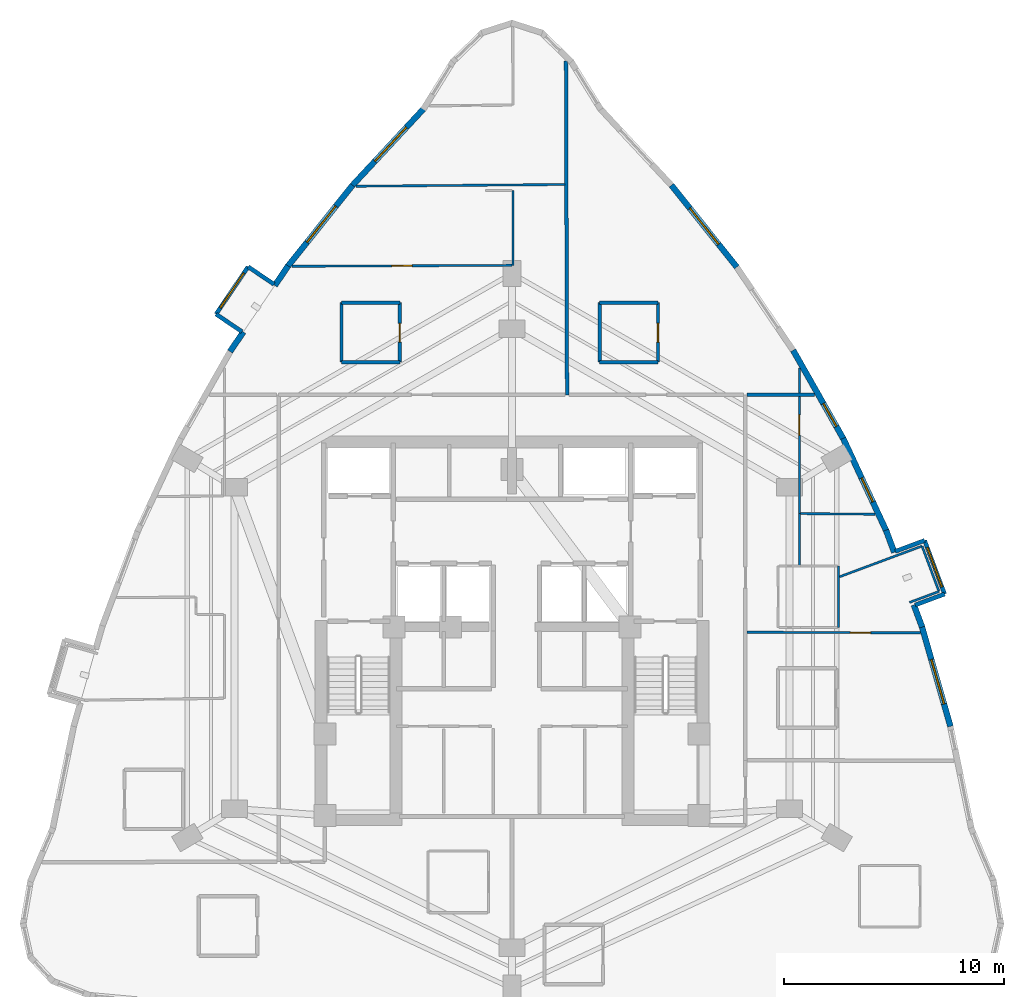
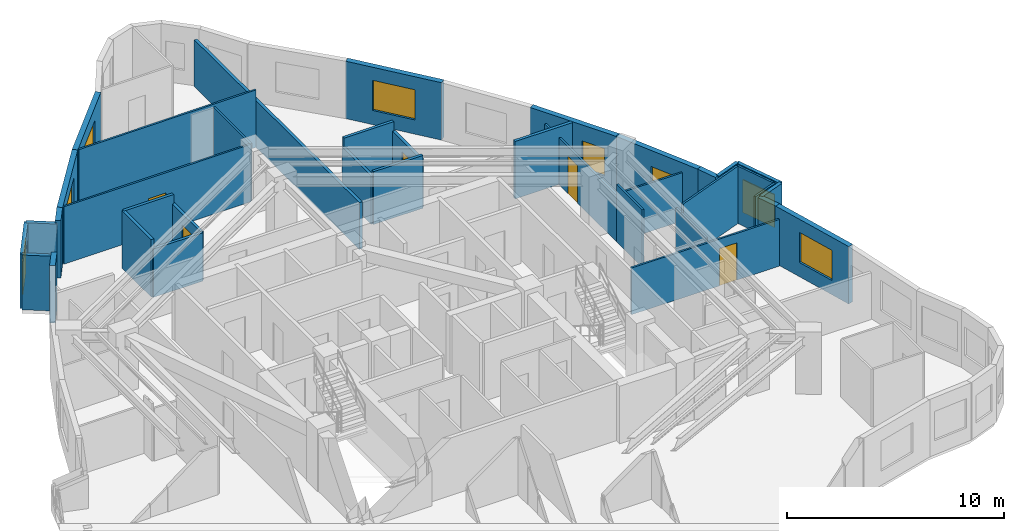
# One storey, part 9 of 11: 37 walls, 8 windows, 5 doors, 13 openings.
"""IFC4 building model written with IfcOpenShell, lengths in metres."""

from ifc_helpers import new_model, si_unit, direction, frame, frame_2d, origin, place, context, subcontext, project, spatial, rectangle, extrude, material, layer, layer_set, type_object, element, fill, save


model = new_model("IFC4")

# Units and contexts
model_context = context("Model", 3, precision=1e-05, world=origin(), true_north=direction((0.0, 1.0)))
body_context = subcontext(model_context, "Body", "Model", "MODEL_VIEW")
ifc_project = project(units=[si_unit("LENGTHUNIT", "METRE"), si_unit("AREAUNIT", "SQUARE_METRE"), si_unit("VOLUMEUNIT", "CUBIC_METRE"), si_unit("PLANEANGLEUNIT", "RADIAN"), si_unit("MASSUNIT", "GRAM", prefix="KILO")], contexts=[model_context])

# Site, building, storey
site_placement = place(None, origin())
site = spatial("IfcSite", under=ifc_project, at=site_placement, CompositionType="ELEMENT")
building_placement = place(site_placement, origin())
building = spatial("IfcBuilding", under=site, at=building_placement, Name="Miruveldt Soraemaru", CompositionType="ELEMENT")
storey_placement = place(building_placement, frame((0.0, 0.0, 100.39990234375)))
storey = spatial("IfcBuildingStorey", under=building, at=storey_placement, Name="L27", CompositionType="ELEMENT", Elevation=100.39990234375)

# Walls
ifc_material_1 = material(Name="White powder-coated aluminium EN AW-6060 T6", Category="aluminium")
ifc_layer_1 = layer(ifc_material_1, 0.18994140625, Name="White powder-coated aluminium EN AW-6060 T6", Category="aluminium")
ifc_layer_set_1 = layer_set([ifc_layer_1], Name="White powder-coated aluminium EN AW-6060 T6")
wall_type_1 = type_object("IfcWallType", Name="WALL-BAY-ALU190", PredefinedType="SOLIDWALL", material=ifc_layer_set_1)
for number, where, z_axis, x_axis, name in (
    (1, (33.198486328125, 59.6142578125, 0.0), (0.0, 0.0, 1.0), (-0.827862228344, 0.560931485016, 0.0), "L27 Bay Window Side Cheek 1L"),
    (2, (30.560546875, 58.260986328125, 0.0), (0.0, 0.0, 1.0), (0.827862228344, -0.560931485016, 0.0), "L27 Bay Window Side Cheek 1R"),
):
    element("IfcWall", number, at=place(storey_placement, frame(where, z_axis=z_axis, x_axis=x_axis)), inside=storey, type_object=wall_type_1, Name=name, PredefinedType="SOLIDWALL", context=body_context, shape_type="SweptSolid", body=[
        extrude(rectangle(XDim=1.425048828125, YDim=0.18994140625, at=frame_2d((0.71240234375, 0.0))), origin(), (0.0, 0.0, 1.0), 3.085205078125),
    ])

# Wall, opening, window
wall_1_placement = place(storey_placement, frame((32.018798828125, 60.41357421875, 0.0), z_axis=(0.0, 0.0, 1.0), x_axis=(-0.560860602504, -0.827910251512, 0.0)))
wall_1 = element("IfcWall", 3, at=wall_1_placement, inside=storey, type_object=wall_type_1, Name="L27 Bay Window Front Frame 1", PredefinedType="SOLIDWALL", context=body_context, shape_type="SweptSolid", body=[
    extrude(rectangle(XDim=2.60009765625, YDim=0.18994140625, at=frame_2d((1.300048828125, 0.0))), origin(), (0.0, 0.0, 1.0), 3.085205078125),
])
opening_1_placement = place(wall_1_placement, frame((0.35009765625, 0.0, 0.550048828125)))
opening_1 = element("IfcOpeningElement", 4, at=opening_1_placement, cuts=wall_1, Name="Opening WN-6", PredefinedType="OPENING", context=body_context, shape_type="SweptSolid", body=[
    extrude(rectangle(XDim=1.89990234375, YDim=1.85009765625, at=frame_2d((0.949951171875, 0.925048828125))), frame((0.0, 0.10498046875, 0.0), z_axis=(0.0, -1.0, 0.0), x_axis=(1.0, 0.0, 0.0)), (0.0, 0.0, 1.0), 0.2099609375),
])
ifc_material_2 = material(Name="Triple low-e insulated glazing", Category="glass")
window_type_1 = type_object("IfcWindowType", Name="WIN-BAYW-1900x1850", PartitioningType="SINGLE_PANEL", PredefinedType="WINDOW", material=ifc_material_2)
window_1_placement = place(opening_1_placement, origin())
window_1 = element("IfcWindow", 5, at=window_1_placement, inside=storey, type_object=window_type_1, Name="L27 Projecting Bay Window 1", OverallHeight=1.85009765625, OverallWidth=1.89990234375, PartitioningType="SINGLE_PANEL", PredefinedType="WINDOW", context=body_context, shape_type="SweptSolid", body=[
    extrude(rectangle(XDim=1.89990234375, YDim=1.85009765625, at=frame_2d((0.949951171875, 0.925048828125))), frame((0.0, 0.030029296875, 0.0), z_axis=(0.0, -1.0, 0.0), x_axis=(1.0, 0.0, 0.0)), (0.0, 0.0, 1.0), 0.06005859375),
])
fill(opening_1, window_1)

# Walls
for number, where, z_axis, x_axis, name in (
    (6, (62.3076171875, 45.053466796875, 0.0), (0.0, 0.0, 1.0), (0.937129361406, 0.348982177182, 0.0), "L27 Bay Window Side Cheek 4L"),
    (7, (62.7353515625, 47.9873046875, 0.0), (0.0, 0.0, 1.0), (-0.937129361406, -0.348982177182, 0.0), "L27 Bay Window Side Cheek 4R"),
):
    element("IfcWall", number, at=place(storey_placement, frame(where, z_axis=z_axis, x_axis=x_axis)), inside=storey, type_object=wall_type_1, Name=name, PredefinedType="SOLIDWALL", context=body_context, shape_type="SweptSolid", body=[
        extrude(rectangle(XDim=1.425048828125, YDim=0.18994140625, at=frame_2d((0.71240234375, 0.0))), origin(), (0.0, 0.0, 1.0), 3.235107421875),
    ])

# Wall, opening, window
wall_2_placement = place(storey_placement, frame((63.64306640625, 45.55078125, 0.0), z_axis=(0.0, 0.0, 1.0), x_axis=(-0.349105789746, 0.937083319436, 0.0)))
wall_2 = element("IfcWall", 8, at=wall_2_placement, inside=storey, type_object=wall_type_1, Name="L27 Bay Window Front Frame 4", PredefinedType="SOLIDWALL", context=body_context, shape_type="SweptSolid", body=[
    extrude(rectangle(XDim=2.60009765625, YDim=0.18994140625, at=frame_2d((1.300048828125, 0.0))), origin(), (0.0, 0.0, 1.0), 3.235107421875),
])
opening_2_placement = place(wall_2_placement, frame((0.35009765625, 0.0, 0.550048828125)))
opening_2 = element("IfcOpeningElement", 9, at=opening_2_placement, cuts=wall_2, Name="Opening WN-6", PredefinedType="OPENING", context=body_context, shape_type="SweptSolid", body=[
    extrude(rectangle(XDim=1.89990234375, YDim=1.85009765625, at=frame_2d((0.949951171875, 0.925048828125))), frame((0.0, 0.10498046875, 0.0), z_axis=(0.0, -1.0, 0.0), x_axis=(1.0, 0.0, 0.0)), (0.0, 0.0, 1.0), 0.2099609375),
])
window_2_placement = place(opening_2_placement, origin())
window_2 = element("IfcWindow", 10, at=window_2_placement, inside=storey, type_object=window_type_1, Name="L27 Projecting Bay Window 4", OverallHeight=1.85009765625, OverallWidth=1.89990234375, PartitioningType="SINGLE_PANEL", PredefinedType="WINDOW", context=body_context, shape_type="SweptSolid", body=[
    extrude(rectangle(XDim=1.89990234375, YDim=1.85009765625, at=frame_2d((0.949951171875, 0.925048828125))), frame((0.0, 0.030029296875, 0.0), z_axis=(0.0, -1.0, 0.0), x_axis=(1.0, 0.0, 0.0)), (0.0, 0.0, 1.0), 0.06005859375),
])
fill(opening_2, window_2)

ifc_material_3 = material(Name="Precast concrete C45/55 (45 MPa)", Category="concrete")
ifc_layer_2 = layer(ifc_material_3, 0.27001953125, Name="Precast concrete C45/55 (45 MPa)", Category="concrete")
ifc_layer_set_2 = layer_set([ifc_layer_2], Name="Precast concrete C45/55 (45 MPa)")
wall_type_2 = type_object("IfcWallType", Name="WALL-EXT-PC270", PredefinedType="SOLIDWALL", material=ifc_layer_set_2)
wall_3_placement = place(storey_placement, frame((40.0087890625, 67.60791015625, 0.0), z_axis=(0.0, 0.0, 1.0), x_axis=(-0.680847438827, -0.732425262428, 0.0)))
wall_3 = element("IfcWall", 11, at=wall_3_placement, inside=storey, type_object=wall_type_2, Name="L27 Precast Concrete Facade Wall 7", PredefinedType="SOLIDWALL", context=body_context, shape_type="SweptSolid", body=[
    extrude(rectangle(XDim=4.84228515625, YDim=0.27001953125, at=frame_2d((2.421142578125, 0.0))), origin(), (0.0, 0.0, 1.0), 3.235107421875),
])
opening_3_placement = place(wall_3_placement, frame((1.177001953125, 0.0, 0.800048828125)))
opening_3 = element("IfcOpeningElement", 12, at=opening_3_placement, cuts=wall_3, Name="Opening WN-1", PredefinedType="OPENING", context=body_context, shape_type="SweptSolid", body=[
    extrude(rectangle(XDim=2.10009765625, YDim=1.699951171875, at=frame_2d((1.050048828125, 0.85009765625))), frame((0.0, 0.14501953125, 0.0), z_axis=(0.0, -1.0, 0.0), x_axis=(1.0, 0.0, 0.0)), (0.0, 0.0, 1.0), 0.2900390625),
])
window_type_2 = type_object("IfcWindowType", Name="WIN-PUNCH-2100x1700", PartitioningType="SINGLE_PANEL", PredefinedType="WINDOW", material=ifc_material_2)
window_3_placement = place(opening_3_placement, origin())
window_3 = element("IfcWindow", 13, at=window_3_placement, inside=storey, type_object=window_type_2, Name="L27 Punched Triple-Glazed Window 07.1", OverallHeight=1.699951171875, OverallWidth=2.10009765625, PartitioningType="SINGLE_PANEL", PredefinedType="WINDOW", context=body_context, shape_type="SweptSolid", body=[
    extrude(rectangle(XDim=2.10009765625, YDim=1.699951171875, at=frame_2d((1.050048828125, 0.85009765625))), frame((0.0, 0.030029296875, 0.0), z_axis=(0.0, -1.0, 0.0), x_axis=(1.0, 0.0, 0.0)), (0.0, 0.0, 1.0), 0.06005859375),
])
fill(opening_3, window_3)

wall_4_placement = place(storey_placement, frame((36.75732421875, 64.114501953125, 0.0), z_axis=(0.0, 0.0, 1.0), x_axis=(-0.623605336984, -0.781739332313, 0.0)))
wall_4 = element("IfcWall", 14, at=wall_4_placement, inside=storey, type_object=wall_type_2, Name="L27 Precast Concrete Facade Wall 8", PredefinedType="SOLIDWALL", context=body_context, shape_type="SweptSolid", body=[
    extrude(rectangle(XDim=4.756591796875, YDim=0.27001953125, at=frame_2d((2.37841796875, 0.0))), origin(), (0.0, 0.0, 1.0), 3.235107421875),
])
opening_4_placement = place(wall_4_placement, frame((1.2109375, 0.0, 0.800048828125)))
opening_4 = element("IfcOpeningElement", 15, at=opening_4_placement, cuts=wall_4, Name="Opening WN-1", PredefinedType="OPENING", context=body_context, shape_type="SweptSolid", body=[
    extrude(rectangle(XDim=2.10009765625, YDim=1.699951171875, at=frame_2d((1.050048828125, 0.85009765625))), frame((0.0, 0.14501953125, 0.0), z_axis=(0.0, -1.0, 0.0), x_axis=(1.0, 0.0, 0.0)), (0.0, 0.0, 1.0), 0.2900390625),
])
window_4_placement = place(opening_4_placement, origin())
window_4 = element("IfcWindow", 16, at=window_4_placement, inside=storey, type_object=window_type_2, Name="L27 Punched Triple-Glazed Window 08.1", OverallHeight=1.699951171875, OverallWidth=2.10009765625, PartitioningType="SINGLE_PANEL", PredefinedType="WINDOW", context=body_context, shape_type="SweptSolid", body=[
    extrude(rectangle(XDim=2.10009765625, YDim=1.699951171875, at=frame_2d((1.050048828125, 0.85009765625))), frame((0.0, 0.030029296875, 0.0), z_axis=(0.0, -1.0, 0.0), x_axis=(1.0, 0.0, 0.0)), (0.0, 0.0, 1.0), 0.06005859375),
])
fill(opening_4, window_4)

# Walls
for number, where, z_axis, x_axis, name in (
    (17, (33.83251953125, 60.452392578125, 0.0), (0.0, 0.0, 1.0), (-0.560688102088, -0.828027084205, 0.0), "L27 Precast Pier Wall 9A"),
    (18, (31.802490234375, 57.455810546875, 0.0), (0.0, 0.0, 1.0), (-0.560688102088, -0.828027084205, 0.0), "L27 Precast Pier Wall 9B"),
):
    element("IfcWall", number, at=place(storey_placement, frame(where, z_axis=z_axis, x_axis=x_axis)), inside=storey, type_object=wall_type_2, Name=name, PredefinedType="SOLIDWALL", context=body_context, shape_type="SweptSolid", body=[
        extrude(rectangle(XDim=1.079345703125, YDim=0.27001953125, at=frame_2d((0.53955078125, 0.0))), origin(), (0.0, 0.0, 1.0), 3.235107421875),
    ])

# Wall, opening, window
wall_5_placement = place(storey_placement, frame((63.908447265625, 39.5439453125, 0.0), z_axis=(0.0, 0.0, 1.0), x_axis=(-0.274944817381, 0.961460008214, 0.0)))
wall_5 = element("IfcWall", 19, at=wall_5_placement, inside=storey, type_object=wall_type_2, Name="L27 Precast Concrete Facade Wall 36", PredefinedType="SOLIDWALL", context=body_context, shape_type="SweptSolid", body=[
    extrude(rectangle(XDim=4.7568359375, YDim=0.27001953125, at=frame_2d((2.37841796875, 0.0))), origin(), (0.0, 0.0, 1.0), 3.235107421875),
])
opening_5_placement = place(wall_5_placement, frame((1.06005859375, 0.0, 0.800048828125)))
opening_5 = element("IfcOpeningElement", 20, at=opening_5_placement, cuts=wall_5, Name="Opening WN-1", PredefinedType="OPENING", context=body_context, shape_type="SweptSolid", body=[
    extrude(rectangle(XDim=2.10009765625, YDim=1.699951171875, at=frame_2d((1.050048828125, 0.85009765625))), frame((0.0, 0.14501953125, 0.0), z_axis=(0.0, -1.0, 0.0), x_axis=(1.0, 0.0, 0.0)), (0.0, 0.0, 1.0), 0.2900390625),
])
window_5_placement = place(opening_5_placement, origin())
window_5 = element("IfcWindow", 21, at=window_5_placement, inside=storey, type_object=window_type_2, Name="L27 Punched Triple-Glazed Window 36.1", OverallHeight=1.699951171875, OverallWidth=2.10009765625, PartitioningType="SINGLE_PANEL", PredefinedType="WINDOW", context=body_context, shape_type="SweptSolid", body=[
    extrude(rectangle(XDim=2.10009765625, YDim=1.699951171875, at=frame_2d((1.050048828125, 0.85009765625))), frame((0.0, 0.030029296875, 0.0), z_axis=(0.0, -1.0, 0.0), x_axis=(1.0, 0.0, 0.0)), (0.0, 0.0, 1.0), 0.06005859375),
])
fill(opening_5, window_5)

# Walls
wall_6_placement = place(storey_placement, frame((62.622314453125, 44.05078125, 0.0), z_axis=(0.0, 0.0, 1.0), x_axis=(-0.348941584862, 0.937144476777, 0.0)))
element("IfcWall", 22, at=wall_6_placement, inside=storey, type_object=wall_type_2, Name="L27 Precast Pier Wall 37A", PredefinedType="SOLIDWALL", context=body_context, shape_type="SweptSolid", body=[
    extrude(rectangle(XDim=1.07958984375, YDim=0.27001953125, at=frame_2d((0.539794921875, 0.0))), origin(), (0.0, 0.0, 1.0), 3.235107421875),
])
wall_7_placement = place(storey_placement, frame((61.35888671875, 47.442626953125, 0.0), z_axis=(0.0, 0.0, 1.0), x_axis=(-0.348816887406, 0.937190897875, 0.0)))
element("IfcWall", 23, at=wall_7_placement, inside=storey, type_object=wall_type_2, Name="L27 Precast Pier Wall 37B", PredefinedType="SOLIDWALL", context=body_context, shape_type="SweptSolid", body=[
    extrude(rectangle(XDim=1.079345703125, YDim=0.27001953125, at=frame_2d((0.53955078125, 0.0))), origin(), (0.0, 0.0, 1.0), 3.235107421875),
])

# Wall, opening, window
wall_8_placement = place(storey_placement, frame((61.00927734375, 48.3896484375, 0.0), z_axis=(0.0, 0.0, 1.0), x_axis=(-0.422321486152, 0.906446116619, 0.0)))
wall_8 = element("IfcWall", 24, at=wall_8_placement, inside=storey, type_object=wall_type_2, Name="L27 Precast Concrete Facade Wall 38", PredefinedType="SOLIDWALL", context=body_context, shape_type="SweptSolid", body=[
    extrude(rectangle(XDim=4.669189453125, YDim=0.27001953125, at=frame_2d((2.33447265625, 0.0))), origin(), (0.0, 0.0, 1.0), 3.235107421875),
])
opening_6_placement = place(wall_8_placement, frame((1.485107421875, 0.0, 0.780029296875)))
opening_6 = element("IfcOpeningElement", 25, at=opening_6_placement, cuts=wall_8, Name="Opening WN-4", PredefinedType="OPENING", context=body_context, shape_type="SweptSolid", body=[
    extrude(rectangle(XDim=1.199951171875, YDim=1.550048828125, at=frame_2d((0.60009765625, 0.77490234375))), frame((0.0, 0.14501953125, 0.0), z_axis=(0.0, -1.0, 0.0), x_axis=(1.0, 0.0, 0.0)), (0.0, 0.0, 1.0), 0.2900390625),
])
window_type_3 = type_object("IfcWindowType", Name="WIN-PUNCH-1200x1550", PartitioningType="SINGLE_PANEL", PredefinedType="WINDOW", material=ifc_material_2)
window_6_placement = place(opening_6_placement, origin())
window_6 = element("IfcWindow", 26, at=window_6_placement, inside=storey, type_object=window_type_3, Name="L27 Punched Triple-Glazed Window 38.1", OverallHeight=1.550048828125, OverallWidth=1.199951171875, PartitioningType="SINGLE_PANEL", PredefinedType="WINDOW", context=body_context, shape_type="SweptSolid", body=[
    extrude(rectangle(XDim=1.199951171875, YDim=1.550048828125, at=frame_2d((0.60009765625, 0.77490234375))), frame((0.0, 0.030029296875, 0.0), z_axis=(0.0, -1.0, 0.0), x_axis=(1.0, 0.0, 0.0)), (0.0, 0.0, 1.0), 0.06005859375),
])
fill(opening_6, window_6)

wall_9_placement = place(storey_placement, frame((59.069580078125, 52.56005859375, 0.0), z_axis=(0.0, 0.0, 1.0), x_axis=(-0.493366085109, 0.869821766837, 0.0)))
wall_9 = element("IfcWall", 27, at=wall_9_placement, inside=storey, type_object=wall_type_2, Name="L27 Precast Concrete Facade Wall 39", PredefinedType="SOLIDWALL", context=body_context, shape_type="SweptSolid", body=[
    extrude(rectangle(XDim=4.66943359375, YDim=0.27001953125, at=frame_2d((2.334716796875, 0.0))), origin(), (0.0, 0.0, 1.0), 3.235107421875),
])
opening_7_placement = place(wall_9_placement, frame((0.68896484375, 0.0, 0.780029296875)))
opening_7 = element("IfcOpeningElement", 28, at=opening_7_placement, cuts=wall_9, Name="Opening WN-4", PredefinedType="OPENING", context=body_context, shape_type="SweptSolid", body=[
    extrude(rectangle(XDim=1.199951171875, YDim=1.550048828125, at=frame_2d((0.60009765625, 0.77490234375))), frame((0.0, 0.14501953125, 0.0), z_axis=(0.0, -1.0, 0.0), x_axis=(1.0, 0.0, 0.0)), (0.0, 0.0, 1.0), 0.2900390625),
])
window_7_placement = place(opening_7_placement, origin())
window_7 = element("IfcWindow", 29, at=window_7_placement, inside=storey, type_object=window_type_3, Name="L27 Punched Triple-Glazed Window 39.1", OverallHeight=1.550048828125, OverallWidth=1.199951171875, PartitioningType="SINGLE_PANEL", PredefinedType="WINDOW", context=body_context, shape_type="SweptSolid", body=[
    extrude(rectangle(XDim=1.199951171875, YDim=1.550048828125, at=frame_2d((0.60009765625, 0.77490234375))), frame((0.0, 0.030029296875, 0.0), z_axis=(0.0, -1.0, 0.0), x_axis=(1.0, 0.0, 0.0)), (0.0, 0.0, 1.0), 0.06005859375),
])
fill(opening_7, window_7)

wall_10_placement = place(storey_placement, frame((54.208984375, 60.39599609375, 0.0), z_axis=(0.0, 0.0, 1.0), x_axis=(-0.623605336984, 0.781739332313, 0.0)))
wall_10 = element("IfcWall", 30, at=wall_10_placement, inside=storey, type_object=wall_type_2, Name="L27 Precast Concrete Facade Wall 41", PredefinedType="SOLIDWALL", context=body_context, shape_type="SweptSolid", body=[
    extrude(rectangle(XDim=4.756591796875, YDim=0.27001953125, at=frame_2d((2.37841796875, 0.0))), origin(), (0.0, 0.0, 1.0), 3.235107421875),
])
opening_8_placement = place(wall_10_placement, frame((1.327880859375, 0.0, 0.800048828125)))
opening_8 = element("IfcOpeningElement", 31, at=opening_8_placement, cuts=wall_10, Name="Opening WN-1", PredefinedType="OPENING", context=body_context, shape_type="SweptSolid", body=[
    extrude(rectangle(XDim=2.10009765625, YDim=1.699951171875, at=frame_2d((1.050048828125, 0.85009765625))), frame((0.0, 0.14501953125, 0.0), z_axis=(0.0, -1.0, 0.0), x_axis=(1.0, 0.0, 0.0)), (0.0, 0.0, 1.0), 0.2900390625),
])
window_8_placement = place(opening_8_placement, origin())
window_8 = element("IfcWindow", 32, at=window_8_placement, inside=storey, type_object=window_type_2, Name="L27 Punched Triple-Glazed Window 41.1", OverallHeight=1.699951171875, OverallWidth=2.10009765625, PartitioningType="SINGLE_PANEL", PredefinedType="WINDOW", context=body_context, shape_type="SweptSolid", body=[
    extrude(rectangle(XDim=2.10009765625, YDim=1.699951171875, at=frame_2d((1.050048828125, 0.85009765625))), frame((0.0, 0.030029296875, 0.0), z_axis=(0.0, -1.0, 0.0), x_axis=(1.0, 0.0, 0.0)), (0.0, 0.0, 1.0), 0.06005859375),
])
fill(opening_8, window_8)

# Wall, opening, door
ifc_material_4 = material(Name="Gypsum plasterboard lining", Category="gypsum")
ifc_layer_3 = layer(ifc_material_4, 0.10009765625, Name="Gypsum plasterboard lining", Category="gypsum")
ifc_layer_set_3 = layer_set([ifc_layer_3], Name="Gypsum plasterboard lining")
wall_type_3 = type_object("IfcWallType", Name="WALL-INT-P100", PredefinedType="PARTITIONING", material=ifc_layer_set_3)
wall_11_placement = place(storey_placement, frame((44.0, 60.47705078125, 0.0), z_axis=(0.0, 0.0, 1.0), x_axis=(-0.999990319151, -0.004400182302, 0.0)))
wall_11 = element("IfcWall", 33, at=wall_11_placement, inside=storey, type_object=wall_type_3, Name="L27 Partition Wall 16", PredefinedType="PARTITIONING", context=body_context, shape_type="SweptSolid", body=[
    extrude(rectangle(XDim=9.987060546875, YDim=0.10009765625, at=frame_2d((4.99365234375, 0.0))), origin(), (0.0, 0.0, 1.0), 3.235107421875),
])
opening_9_placement = place(wall_11_placement, frame((4.533935546875, 0.0, 0.0)))
opening_9 = element("IfcOpeningElement", 34, at=opening_9_placement, cuts=wall_11, Name="Opening D3A", PredefinedType="OPENING", context=body_context, shape_type="SweptSolid", body=[
    extrude(rectangle(XDim=0.919921875, YDim=2.10009765625, at=frame_2d((0.4599609375, 1.050048828125))), frame((0.0, 0.06005859375, 0.0), z_axis=(0.0, -1.0, 0.0), x_axis=(1.0, 0.0, 0.0)), (0.0, 0.0, 1.0), 0.1201171875),
])
ifc_material_5 = material(Name="Anodised aluminium EN AW-6063 T6", Category="aluminium")
door_type_1 = type_object("IfcDoorType", Name="DOOR-INT-920", OperationType="NOTDEFINED", PredefinedType="DOOR", material=ifc_material_5)
door_1_placement = place(opening_9_placement, origin())
door_1 = element("IfcDoor", 35, at=door_1_placement, inside=storey, type_object=door_type_1, Name="L27 Unit 2701 BD1 Door", OperationType="SINGLE_SWING_RIGHT", OverallHeight=2.10009765625, OverallWidth=0.919921875, PredefinedType="DOOR", context=body_context, shape_type="SweptSolid", body=[
    extrude(rectangle(XDim=0.919921875, YDim=2.10009765625, at=frame_2d((0.4599609375, 1.050048828125))), frame((0.0, 0.02490234375, 0.0), z_axis=(0.0, -1.0, 0.0), x_axis=(1.0, 0.0, 0.0)), (0.0, 0.0, 1.0), 0.050048828125),
])
fill(opening_9, door_1)

wall_12_placement = place(storey_placement, frame((62.5380859375, 43.791015625, 0.0), z_axis=(0.0, 0.0, 1.0), x_axis=(-0.999993860722, 0.003504071764, 0.0)))
wall_12 = element("IfcWall", 36, at=wall_12_placement, inside=storey, type_object=wall_type_3, Name="L27 Partition Wall 45", PredefinedType="PARTITIONING", context=body_context, shape_type="SweptSolid", body=[
    extrude(rectangle(XDim=7.873046875, YDim=0.10009765625, at=frame_2d((3.9365234375, 0.0))), origin(), (0.0, 0.0, 1.0), 2.635009765625),
])
opening_10_placement = place(wall_12_placement, frame((2.259033203125, 0.0, 0.0)))
opening_10 = element("IfcOpeningElement", 37, at=opening_10_placement, cuts=wall_12, Name="Opening D3A", PredefinedType="OPENING", context=body_context, shape_type="SweptSolid", body=[
    extrude(rectangle(XDim=0.919921875, YDim=2.10009765625, at=frame_2d((0.4599609375, 1.050048828125))), frame((0.0, 0.06005859375, 0.0), z_axis=(0.0, -1.0, 0.0), x_axis=(1.0, 0.0, 0.0)), (0.0, 0.0, 1.0), 0.1201171875),
])
door_2_placement = place(opening_10_placement, origin())
door_2 = element("IfcDoor", 38, at=door_2_placement, inside=storey, type_object=door_type_1, Name="L27 Unit 2704 BD1 Door", OperationType="SINGLE_SWING_LEFT", OverallHeight=2.10009765625, OverallWidth=0.919921875, PredefinedType="DOOR", context=body_context, shape_type="SweptSolid", body=[
    extrude(rectangle(XDim=0.919921875, YDim=2.10009765625, at=frame_2d((0.4599609375, 1.050048828125))), frame((0.0, 0.02490234375, 0.0), z_axis=(0.0, -1.0, 0.0), x_axis=(1.0, 0.0, 0.0)), (0.0, 0.0, 1.0), 0.050048828125),
])
fill(opening_10, door_2)

wall_13_placement = place(storey_placement, frame((57.050048828125, 49.205078125, 0.0), z_axis=(0.0, 0.0, 1.0), x_axis=(0.0, 1.0, 0.0)))
wall_13 = element("IfcWall", 39, at=wall_13_placement, inside=storey, type_object=wall_type_3, Name="L27 Partition Wall 47", PredefinedType="PARTITIONING", context=body_context, shape_type="SweptSolid", body=[
    extrude(rectangle(XDim=6.61083984375, YDim=0.10009765625, at=frame_2d((3.305419921875, 0.0))), origin(), (0.0, 0.0, 1.0), 2.635009765625),
])
opening_11_placement = place(wall_13_placement, frame((3.56591796875, 0.0, 0.0)))
opening_11 = element("IfcOpeningElement", 40, at=opening_11_placement, cuts=wall_13, Name="Opening D3A", PredefinedType="OPENING", context=body_context, shape_type="SweptSolid", body=[
    extrude(rectangle(XDim=0.919921875, YDim=2.10009765625, at=frame_2d((0.4599609375, 1.050048828125))), frame((0.0, 0.06005859375, 0.0), z_axis=(0.0, -1.0, 0.0), x_axis=(1.0, 0.0, 0.0)), (0.0, 0.0, 1.0), 0.1201171875),
])
door_3_placement = place(opening_11_placement, origin())
door_3 = element("IfcDoor", 41, at=door_3_placement, inside=storey, type_object=door_type_1, Name="L27 Unit 2704 EXT Door", OperationType="SINGLE_SWING_RIGHT", OverallHeight=2.10009765625, OverallWidth=0.919921875, PredefinedType="DOOR", context=body_context, shape_type="SweptSolid", body=[
    extrude(rectangle(XDim=0.919921875, YDim=2.10009765625, at=frame_2d((0.4599609375, 1.050048828125))), frame((0.0, 0.02490234375, 0.0), z_axis=(0.0, -1.0, 0.0), x_axis=(1.0, 0.0, 0.0)), (0.0, 0.0, 1.0), 0.050048828125),
])
fill(opening_11, door_3)

# Walls
wall_14_placement = place(storey_placement, frame((36.923095703125, 64.068115234375, 0.0), z_axis=(0.0, 0.0, 1.0), x_axis=(0.999965625602, 0.008291418124, 0.0)))
element("IfcWall", 42, at=wall_14_placement, inside=storey, type_object=wall_type_3, Name="L27 Partition Wall 13", PredefinedType="PARTITIONING", context=body_context, shape_type="SweptSolid", body=[
    extrude(rectangle(XDim=9.481201171875, YDim=0.10009765625, at=frame_2d((4.74072265625, 0.0))), origin(), (0.0, 0.0, 1.0), 3.235107421875),
])
wall_15_placement = place(storey_placement, frame((58.865966796875, 46.332763671875, 0.0), z_axis=(0.0, 0.0, 1.0), x_axis=(0.937128654112, 0.348984076489, 0.0)))
element("IfcWall", 43, at=wall_15_placement, inside=storey, type_object=wall_type_3, Name="L27 Partition Wall 73", PredefinedType="PARTITIONING", context=body_context, shape_type="SweptSolid", body=[
    extrude(rectangle(XDim=4.003662109375, YDim=0.10009765625, at=frame_2d((2.001953125, 0.0))), origin(), (0.0, 0.0, 1.0), 3.235107421875),
])
wall_16_placement = place(storey_placement, frame((44.050048828125, 63.8798828125, 0.0), z_axis=(0.0, 0.0, 1.0), x_axis=(0.0, -1.0, 0.0)))
element("IfcWall", 44, at=wall_16_placement, inside=storey, type_object=wall_type_3, Name="L27 Partition Wall 15", PredefinedType="PARTITIONING", context=body_context, shape_type="SweptSolid", body=[
    extrude(rectangle(XDim=3.40283203125, YDim=0.10009765625, at=frame_2d((1.701416015625, 0.0))), origin(), (0.0, 0.0, 1.0), 3.235107421875),
])
wall_17_placement = place(storey_placement, frame((60.47802734375, 49.175048828125, 0.0), z_axis=(0.0, 0.0, 1.0), x_axis=(-0.999960487603, 0.008889501299, 0.0)))
element("IfcWall", 45, at=wall_17_placement, inside=storey, type_object=wall_type_3, Name="L27 Partition Wall 52", PredefinedType="PARTITIONING", context=body_context, shape_type="SweptSolid", body=[
    extrude(rectangle(XDim=3.378173828125, YDim=0.10009765625, at=frame_2d((1.68896484375, 0.0))), origin(), (0.0, 0.0, 1.0), 2.72314453125),
])
wall_18_placement = place(storey_placement, frame((58.830078125, 44.030029296875, 0.0), z_axis=(0.0, 0.0, 1.0), x_axis=(0.0, 1.0, 0.0)))
element("IfcWall", 46, at=wall_18_placement, inside=storey, type_object=wall_type_3, Name="L27 Partition Wall 50", PredefinedType="PARTITIONING", context=body_context, shape_type="SweptSolid", body=[
    extrude(rectangle(XDim=2.800048828125, YDim=0.10009765625, at=frame_2d((1.39990234375, 0.0))), origin(), (0.0, 0.0, 1.0), 2.72314453125),
])
wall_19_placement = place(storey_placement, frame((57.050048828125, 46.830078125, 0.0), z_axis=(0.0, 0.0, 1.0), x_axis=(0.0, 1.0, 0.0)))
element("IfcWall", 47, at=wall_19_placement, inside=storey, type_object=wall_type_3, Name="L27 Partition Wall 46", PredefinedType="PARTITIONING", context=body_context, shape_type="SweptSolid", body=[
    extrude(rectangle(XDim=2.375, YDim=0.10009765625, at=frame_2d((1.1875, 0.0))), origin(), (0.0, 0.0, 1.0), 3.235107421875),
])
wall_20_placement = place(storey_placement, frame((62.617919921875, 47.72998046875, 0.0), z_axis=(0.0, 0.0, 1.0), x_axis=(0.349200758138, -0.937047933948, 0.0)))
element("IfcWall", 48, at=wall_20_placement, inside=storey, type_object=wall_type_3, Name="L27 Partition Wall 74", PredefinedType="PARTITIONING", context=body_context, shape_type="SweptSolid", body=[
    extrude(rectangle(XDim=2.199462890625, YDim=0.10009765625, at=frame_2d((1.099609375, 0.0))), origin(), (0.0, 0.0, 1.0), 3.235107421875),
])
wall_21_placement = place(storey_placement, frame((63.385986328125, 45.6689453125, 0.0), z_axis=(0.0, 0.0, 1.0), x_axis=(-0.937133577077, -0.34897085654, 0.0)))
element("IfcWall", 49, at=wall_21_placement, inside=storey, type_object=wall_type_3, Name="L27 Partition Wall 75", PredefinedType="PARTITIONING", context=body_context, shape_type="SweptSolid", body=[
    extrude(rectangle(XDim=1.429931640625, YDim=0.10009765625, at=frame_2d((0.71484375, 0.0))), origin(), (0.0, 0.0, 1.0), 3.235107421875),
])

# Wall, opening, door
ifc_layer_4 = layer(ifc_material_4, 0.14990234375, Name="Gypsum plasterboard lining", Category="gypsum")
ifc_layer_set_4 = layer_set([ifc_layer_4], Name="Gypsum plasterboard lining")
wall_type_4 = type_object("IfcWallType", Name="WALL-INT-PLUMB", PredefinedType="PLUMBINGWALL", material=ifc_layer_set_4)
wall_22_placement = place(storey_placement, frame((38.906982421875, 56.080078125, 0.0), z_axis=(0.0, 0.0, 1.0), x_axis=(0.0, 1.0, 0.0)))
wall_22 = element("IfcWall", 50, at=wall_22_placement, inside=storey, type_object=wall_type_4, Name="L27 Partition Wall 9", PredefinedType="PLUMBINGWALL", context=body_context, shape_type="SweptSolid", body=[
    extrude(rectangle(XDim=2.699951171875, YDim=0.14990234375, at=frame_2d((1.35009765625, 0.0))), origin(), (0.0, 0.0, 1.0), 2.72314453125),
])
opening_12_placement = place(wall_22_placement, frame((0.909912109375, 0.0, 0.0)))
opening_12 = element("IfcOpeningElement", 51, at=opening_12_placement, cuts=wall_22, Name="Opening FD3", PredefinedType="OPENING", context=body_context, shape_type="SweptSolid", body=[
    extrude(rectangle(XDim=0.85009765625, YDim=2.10009765625, at=frame_2d((0.425048828125, 1.050048828125))), frame((0.0, 0.0849609375, 0.0), z_axis=(0.0, -1.0, 0.0), x_axis=(1.0, 0.0, 0.0)), (0.0, 0.0, 1.0), 0.169921875),
])
door_type_2 = type_object("IfcDoorType", Name="DOOR-FD3-850", OperationType="NOTDEFINED", PredefinedType="DOOR", material=ifc_material_5)
door_4_placement = place(opening_12_placement, origin())
door_4 = element("IfcDoor", 52, at=door_4_placement, inside=storey, type_object=door_type_2, Name="L27 Unit 2701 BTH Door", OperationType="SINGLE_SWING_LEFT", OverallHeight=2.10009765625, OverallWidth=0.85009765625, PredefinedType="DOOR", context=body_context, shape_type="SweptSolid", body=[
    extrude(rectangle(XDim=0.85009765625, YDim=2.10009765625, at=frame_2d((0.425048828125, 1.050048828125))), frame((0.0, 0.02490234375, 0.0), z_axis=(0.0, -1.0, 0.0), x_axis=(1.0, 0.0, 0.0)), (0.0, 0.0, 1.0), 0.050048828125),
])
fill(opening_12, door_4)

wall_23_placement = place(storey_placement, frame((50.6298828125, 56.080078125, 0.0), z_axis=(0.0, 0.0, 1.0), x_axis=(0.0, 1.0, 0.0)))
wall_23 = element("IfcWall", 53, at=wall_23_placement, inside=storey, type_object=wall_type_4, Name="L27 Partition Wall 21", PredefinedType="PLUMBINGWALL", context=body_context, shape_type="SweptSolid", body=[
    extrude(rectangle(XDim=2.699951171875, YDim=0.14990234375, at=frame_2d((1.35009765625, 0.0))), origin(), (0.0, 0.0, 1.0), 2.72314453125),
])
opening_13_placement = place(wall_23_placement, frame((0.909912109375, 0.0, 0.0)))
opening_13 = element("IfcOpeningElement", 54, at=opening_13_placement, cuts=wall_23, Name="Opening FD3", PredefinedType="OPENING", context=body_context, shape_type="SweptSolid", body=[
    extrude(rectangle(XDim=0.85009765625, YDim=2.10009765625, at=frame_2d((0.425048828125, 1.050048828125))), frame((0.0, 0.0849609375, 0.0), z_axis=(0.0, -1.0, 0.0), x_axis=(1.0, 0.0, 0.0)), (0.0, 0.0, 1.0), 0.169921875),
])
door_5_placement = place(opening_13_placement, origin())
door_5 = element("IfcDoor", 55, at=door_5_placement, inside=storey, type_object=door_type_2, Name="L27 Unit CL02 BTH Door", OperationType="SINGLE_SWING_LEFT", OverallHeight=2.10009765625, OverallWidth=0.85009765625, PredefinedType="DOOR", context=body_context, shape_type="SweptSolid", body=[
    extrude(rectangle(XDim=0.85009765625, YDim=2.10009765625, at=frame_2d((0.425048828125, 1.050048828125))), frame((0.0, 0.02490234375, 0.0), z_axis=(0.0, -1.0, 0.0), x_axis=(1.0, 0.0, 0.0)), (0.0, 0.0, 1.0), 0.050048828125),
])
fill(opening_13, door_5)

# Walls
wall_24_placement = place(storey_placement, frame((36.257080078125, 58.780029296875, 0.0), z_axis=(0.0, 0.0, 1.0), x_axis=(0.0, -1.0, 0.0)))
element("IfcWall", 56, at=wall_24_placement, inside=storey, type_object=wall_type_4, Name="L27 Partition Wall 11", PredefinedType="PLUMBINGWALL", context=body_context, shape_type="SweptSolid", body=[
    extrude(rectangle(XDim=2.699951171875, YDim=0.14990234375, at=frame_2d((1.35009765625, 0.0))), origin(), (0.0, 0.0, 1.0), 3.235107421875),
])
wall_25_placement = place(storey_placement, frame((47.97998046875, 58.780029296875, 0.0), z_axis=(0.0, 0.0, 1.0), x_axis=(0.0, -1.0, 0.0)))
element("IfcWall", 57, at=wall_25_placement, inside=storey, type_object=wall_type_4, Name="L27 Partition Wall 23", PredefinedType="PLUMBINGWALL", context=body_context, shape_type="SweptSolid", body=[
    extrude(rectangle(XDim=2.699951171875, YDim=0.14990234375, at=frame_2d((1.35009765625, 0.0))), origin(), (0.0, 0.0, 1.0), 2.72314453125),
])
wall_26_placement = place(storey_placement, frame((50.6298828125, 58.780029296875, 0.0), z_axis=(0.0, 0.0, 1.0), x_axis=(-1.0, 0.0, 0.0)))
element("IfcWall", 58, at=wall_26_placement, inside=storey, type_object=wall_type_4, Name="L27 Partition Wall 22", PredefinedType="PLUMBINGWALL", context=body_context, shape_type="SweptSolid", body=[
    extrude(rectangle(XDim=2.64990234375, YDim=0.14990234375, at=frame_2d((1.324951171875, 0.0))), origin(), (0.0, 0.0, 1.0), 3.235107421875),
])
wall_27_placement = place(storey_placement, frame((47.97998046875, 56.080078125, 0.0), z_axis=(0.0, 0.0, 1.0), x_axis=(1.0, 0.0, 0.0)))
element("IfcWall", 59, at=wall_27_placement, inside=storey, type_object=wall_type_4, Name="L27 Partition Wall 24", PredefinedType="PLUMBINGWALL", context=body_context, shape_type="SweptSolid", body=[
    extrude(rectangle(XDim=2.64990234375, YDim=0.14990234375, at=frame_2d((1.324951171875, 0.0))), origin(), (0.0, 0.0, 1.0), 2.97314453125),
])
wall_28_placement = place(storey_placement, frame((38.906982421875, 58.780029296875, 0.0), z_axis=(0.0, 0.0, 1.0), x_axis=(-1.0, 0.0, 0.0)))
element("IfcWall", 60, at=wall_28_placement, inside=storey, type_object=wall_type_4, Name="L27 Partition Wall 10", PredefinedType="PLUMBINGWALL", context=body_context, shape_type="SweptSolid", body=[
    extrude(rectangle(XDim=2.64990234375, YDim=0.14990234375, at=frame_2d((1.324951171875, 0.0))), origin(), (0.0, 0.0, 1.0), 3.235107421875),
])
wall_29_placement = place(storey_placement, frame((36.257080078125, 56.080078125, 0.0), z_axis=(0.0, 0.0, 1.0), x_axis=(1.0, 0.0, 0.0)))
element("IfcWall", 61, at=wall_29_placement, inside=storey, type_object=wall_type_4, Name="L27 Partition Wall 12", PredefinedType="PLUMBINGWALL", context=body_context, shape_type="SweptSolid", body=[
    extrude(rectangle(XDim=2.64990234375, YDim=0.14990234375, at=frame_2d((1.324951171875, 0.0))), origin(), (0.0, 0.0, 1.0), 2.72314453125),
])
ifc_material_6 = material(Name="Concrete C40/50 (40 MPa)", Category="concrete")
ifc_layer_5 = layer(ifc_material_6, 0.159912109375, Name="Concrete C40/50 (40 MPa)", Category="concrete")
ifc_layer_set_5 = layer_set([ifc_layer_5], Name="Concrete C40/50 (40 MPa)")
wall_type_5 = type_object("IfcWallType", Name="WALL-INT-RC160", PredefinedType="SOLIDWALL", material=ifc_layer_set_5)
wall_30_placement = place(storey_placement, frame((46.5, 54.60009765625, 0.0), z_axis=(0.0, 0.0, 1.0), x_axis=(-0.003237792916, 0.999994758335, 0.0)))
element("IfcWall", 62, at=wall_30_placement, inside=storey, type_object=wall_type_5, Name="L27 Partition Wall 19", PredefinedType="SOLIDWALL", context=body_context, shape_type="SweptSolid", body=[
    extrude(rectangle(XDim=15.156005859375, YDim=0.159912109375, at=frame_2d((7.578125, 0.0))), origin(), (0.0, 0.0, 1.0), 2.635009765625),
])
wall_31_placement = place(storey_placement, frame((54.679931640625, 54.60009765625, 0.0), z_axis=(0.0, 0.0, 1.0), x_axis=(1.0, 0.0, 0.0)))
element("IfcWall", 63, at=wall_31_placement, inside=storey, type_object=wall_type_5, Name="L27 Partition Wall 25", PredefinedType="SOLIDWALL", context=body_context, shape_type="SweptSolid", body=[
    extrude(rectangle(XDim=3.06005859375, YDim=0.159912109375, at=frame_2d((1.530029296875, 0.0))), origin(), (0.0, 0.0, 1.0), 3.235107421875),
])

save(model, "model.ifc")
